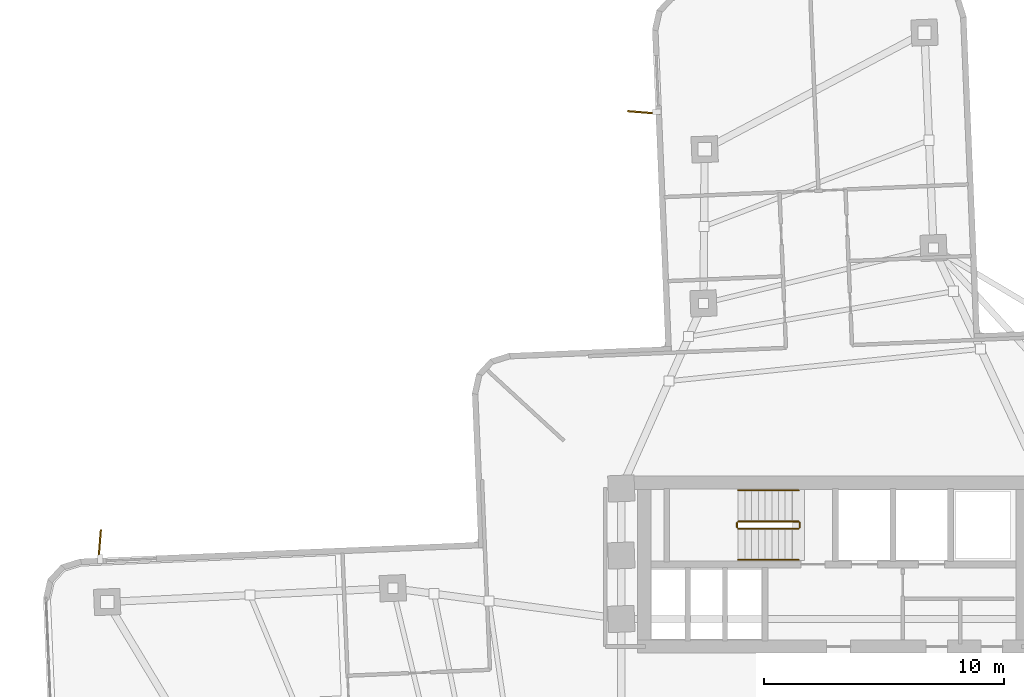
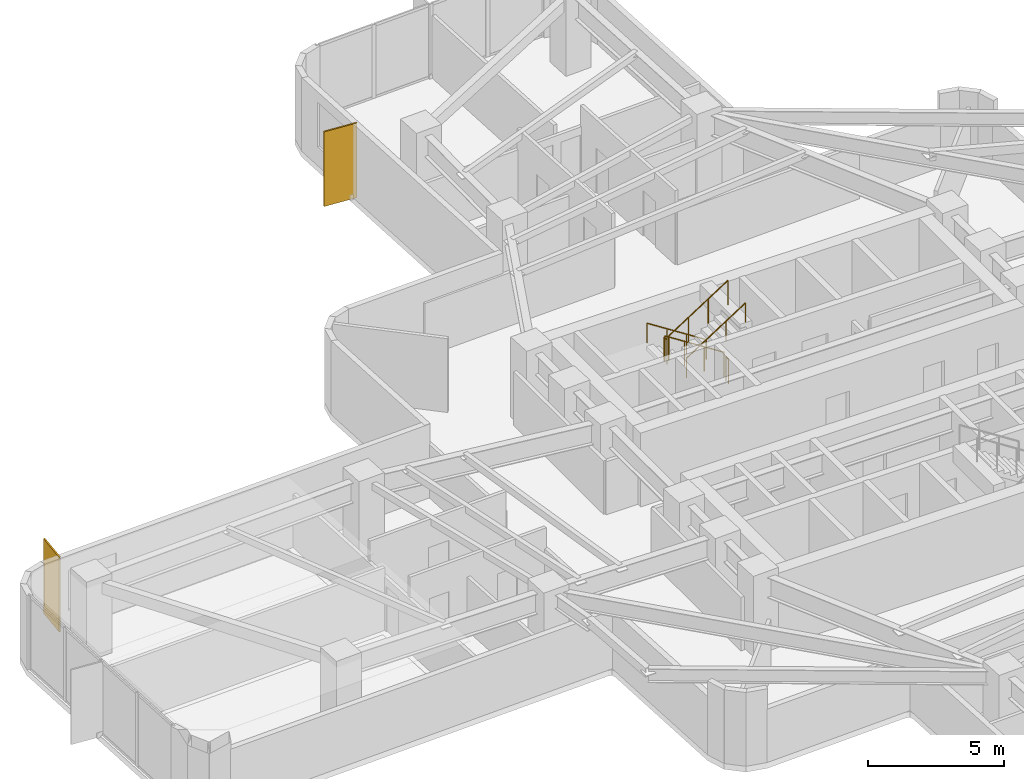
# One storey, part 14 of 15: 6 railings, 2 shading devices.
"""IFC4 building model written with IfcOpenShell, lengths in metres."""

from ifc_helpers import new_model, si_unit, direction, frame, origin, origin_2d, place, context, subcontext, project, spatial, rectangle, circle, extrude, material, layer, layer_set, type_object, element, save


model = new_model("IFC4")

# Units and contexts
model_context = context("Model", 3, precision=1e-05, world=origin(), true_north=direction((0.0, 1.0)))
body_context = subcontext(model_context, "Body", "Model", "MODEL_VIEW")
ifc_project = project(units=[si_unit("LENGTHUNIT", "METRE"), si_unit("AREAUNIT", "SQUARE_METRE"), si_unit("VOLUMEUNIT", "CUBIC_METRE"), si_unit("PLANEANGLEUNIT", "RADIAN"), si_unit("MASSUNIT", "GRAM", prefix="KILO")], contexts=[model_context])

# Site, building, storey
site_placement = place(None, origin())
site = spatial("IfcSite", under=ifc_project, at=site_placement, CompositionType="ELEMENT")
building_placement = place(site_placement, origin())
building = spatial("IfcBuilding", under=site, at=building_placement, Name="Solmarez Civic Tower", CompositionType="ELEMENT")
storey_placement = place(building_placement, frame((0.0, 0.0, 46.080078125)))
storey = spatial("IfcBuildingStorey", under=building, at=storey_placement, Name="L11", CompositionType="ELEMENT", Elevation=46.080078125)

# Shading devices
ifc_material_1 = material(Name="Bronze Anodised Aluminium EN AW-6063 T6", Category="aluminium")
ifc_layer = layer(ifc_material_1, 0.06494140625)
ifc_layer_set = layer_set([ifc_layer], Name="Bronze Anodised Aluminium EN AW-6063 T6")
shading_device_type = type_object("IfcShadingDeviceType", Name="FIN-BRONZE-Z12", PredefinedType="USERDEFINED", material=ifc_layer_set)
for number, where, z_axis, x_axis, name in (
    (1, (-30.635009765625, 5.947021484375, -0.0400390625), (0.0, 0.0, 1.0), (0.079990157691, 0.996795653418, 0.0), "L11 Anodised Bronze Solar Fin FIN-L11-02"),
    (2, (-7.9189453125, 24.049072265625, -0.0400390625), (0.0, 0.0, 1.0), (-0.996791463777, 0.08004234968, 0.0), "L11 Anodised Bronze Solar Fin FIN-L11-03"),
):
    element("IfcShadingDevice", number, at=place(storey_placement, frame(where, z_axis=z_axis, x_axis=x_axis)), inside=storey, type_object=shading_device_type, Name=name, ObjectType="FIN", PredefinedType="USERDEFINED", context=body_context, shape_type="SweptSolid", body=[
        extrude(rectangle(XDim=1.35009765625, YDim=0.06494140625, at=origin_2d()), origin(), (0.0, 0.0, 1.0), 3.360107421875),
    ])

# Railings
ifc_material_2 = material(Name="Painted Steel Stairwell Safety Guard", Category="steel")
railing_type_1 = type_object("IfcRailingType", Name="GUARD-STAIR-1120", PredefinedType="BALUSTRADE", material=ifc_material_2)
railing_1_placement = place(storey_placement, frame((-1.449951171875, 6.969970703125, 0.179931640625)))
element("IfcRailing", 3, at=railing_1_placement, inside=storey, type_object=railing_type_1, Name="L11 ST-1 stair guard 1", PredefinedType="BALUSTRADE", context=body_context, shape_type="SweptSolid", body=[
    extrude(circle(Radius=0.02392578125, at=origin_2d()), frame((0.0, 0.0, 1.09619140625), z_axis=(-0.841199657755, 0.0, 0.540724639528), x_axis=(0.0, -1.0, 0.0)), (0.0, 0.0, 1.0), 2.995849609375),
    extrude(circle(Radius=0.02099609375, at=origin_2d()), origin(), (0.0, 0.0, 1.0), 1.072021484375),
    extrude(circle(Radius=0.02099609375, at=origin_2d()), frame((-0.840087890625, 0.0, 0.5400390625)), (0.0, 0.0, 1.0), 1.072021484375),
    extrude(circle(Radius=0.02099609375, at=origin_2d()), frame((-1.679931640625, 0.0, 1.079833984375)), (0.0, 0.0, 1.0), 1.072021484375),
    extrude(circle(Radius=0.02099609375, at=origin_2d()), frame((-2.52001953125, 0.0, 1.619873046875)), (0.0, 0.0, 1.0), 1.072021484375),
])
railing_2_placement = place(storey_placement, frame((-4.02001953125, 6.919921875, 1.7998046875)))
element("IfcRailing", 4, at=railing_2_placement, inside=storey, type_object=railing_type_1, Name="L11 ST-1 stair guard 2", PredefinedType="BALUSTRADE", context=body_context, shape_type="SweptSolid", body=[
    extrude(circle(Radius=0.02392578125, at=origin_2d()), frame((0.0, 0.0, 1.09619140625), z_axis=(0.0, -1.0, 0.0), x_axis=(1.0, 0.0, 0.0)), (0.0, 0.0, 1.0), 0.199951171875),
    extrude(circle(Radius=0.02099609375, at=origin_2d()), origin(), (0.0, 0.0, 1.0), 1.072021484375),
    extrude(circle(Radius=0.02099609375, at=origin_2d()), frame((0.0, -0.199951171875, 0.0)), (0.0, 0.0, 1.0), 1.072021484375),
])
railing_3_placement = place(storey_placement, frame((-3.969970703125, 6.669921875, 1.97998046875)))
element("IfcRailing", 5, at=railing_3_placement, inside=storey, type_object=railing_type_1, Name="L11 ST-1 stair guard 3", PredefinedType="BALUSTRADE", context=body_context, shape_type="SweptSolid", body=[
    extrude(circle(Radius=0.02392578125, at=origin_2d()), frame((0.0, 0.0, 1.09619140625), z_axis=(0.841199657755, 0.0, 0.540724639528), x_axis=(0.0, 1.0, 0.0)), (0.0, 0.0, 1.0), 2.995849609375),
    extrude(circle(Radius=0.02099609375, at=origin_2d()), origin(), (0.0, 0.0, 1.0), 1.072021484375),
    extrude(circle(Radius=0.02099609375, at=origin_2d()), frame((0.840087890625, 0.0, 0.5400390625)), (0.0, 0.0, 1.0), 1.072021484375),
    extrude(circle(Radius=0.02099609375, at=origin_2d()), frame((1.679931640625, 0.0, 1.079833984375)), (0.0, 0.0, 1.0), 1.072021484375),
    extrude(circle(Radius=0.02099609375, at=origin_2d()), frame((2.52001953125, 0.0, 1.619873046875)), (0.0, 0.0, 1.0), 1.072021484375),
])
railing_4_placement = place(storey_placement, frame((-1.39990234375, 6.919921875, 0.0)))
element("IfcRailing", 6, at=railing_4_placement, inside=storey, type_object=railing_type_1, Name="L11 ST-1 stair guard 4", PredefinedType="BALUSTRADE", context=body_context, shape_type="SweptSolid", body=[
    extrude(circle(Radius=0.02392578125, at=origin_2d()), frame((0.0, 0.0, 1.09619140625), z_axis=(0.0, -1.0, 0.0), x_axis=(1.0, 0.0, 0.0)), (0.0, 0.0, 1.0), 0.199951171875),
    extrude(circle(Radius=0.02099609375, at=origin_2d()), origin(), (0.0, 0.0, 1.0), 1.072021484375),
    extrude(circle(Radius=0.02099609375, at=origin_2d()), frame((0.0, -0.199951171875, 0.0)), (0.0, 0.0, 1.0), 1.072021484375),
])
ifc_material_3 = material(Name="Brushed Stainless Steel Tube Handrail", Category="steel")
railing_type_2 = type_object("IfcRailingType", Name="HANDRAIL-STAIR-900", PredefinedType="HANDRAIL", material=ifc_material_3)
railing_5_placement = place(storey_placement, frame((-1.449951171875, 8.27001953125, 0.179931640625)))
element("IfcRailing", 7, at=railing_5_placement, inside=storey, type_object=railing_type_2, Name="L11 ST-1 stair handrail 1", PredefinedType="HANDRAIL", context=body_context, shape_type="SweptSolid", body=[
    extrude(circle(Radius=0.02392578125, at=origin_2d()), frame((0.0, 0.0, 0.8759765625), z_axis=(-0.841199657755, 0.0, 0.540724639528), x_axis=(0.0, -1.0, 0.0)), (0.0, 0.0, 1.0), 2.995849609375),
    extrude(circle(Radius=0.02099609375, at=origin_2d()), origin(), (0.0, 0.0, 1.0), 0.851806640625),
    extrude(circle(Radius=0.02099609375, at=origin_2d()), frame((-0.840087890625, 0.0, 0.5400390625)), (0.0, 0.0, 1.0), 0.851806640625),
    extrude(circle(Radius=0.02099609375, at=origin_2d()), frame((-1.679931640625, 0.0, 1.079833984375)), (0.0, 0.0, 1.0), 0.851806640625),
    extrude(circle(Radius=0.02099609375, at=origin_2d()), frame((-2.52001953125, 0.0, 1.619873046875)), (0.0, 0.0, 1.0), 0.851806640625),
])
railing_6_placement = place(storey_placement, frame((-3.969970703125, 5.3701171875, 1.97998046875)))
element("IfcRailing", 8, at=railing_6_placement, inside=storey, type_object=railing_type_2, Name="L11 ST-1 stair handrail 2", PredefinedType="HANDRAIL", context=body_context, shape_type="SweptSolid", body=[
    extrude(circle(Radius=0.02392578125, at=origin_2d()), frame((0.0, 0.0, 0.8759765625), z_axis=(0.841199657755, 0.0, 0.540724639528), x_axis=(0.0, 1.0, 0.0)), (0.0, 0.0, 1.0), 2.995849609375),
    extrude(circle(Radius=0.02099609375, at=origin_2d()), origin(), (0.0, 0.0, 1.0), 0.851806640625),
    extrude(circle(Radius=0.02099609375, at=origin_2d()), frame((0.840087890625, 0.0, 0.5400390625)), (0.0, 0.0, 1.0), 0.851806640625),
    extrude(circle(Radius=0.02099609375, at=origin_2d()), frame((1.679931640625, 0.0, 1.079833984375)), (0.0, 0.0, 1.0), 0.851806640625),
    extrude(circle(Radius=0.02099609375, at=origin_2d()), frame((2.52001953125, 0.0, 1.619873046875)), (0.0, 0.0, 1.0), 0.851806640625),
])

save(model, "model.ifc")
